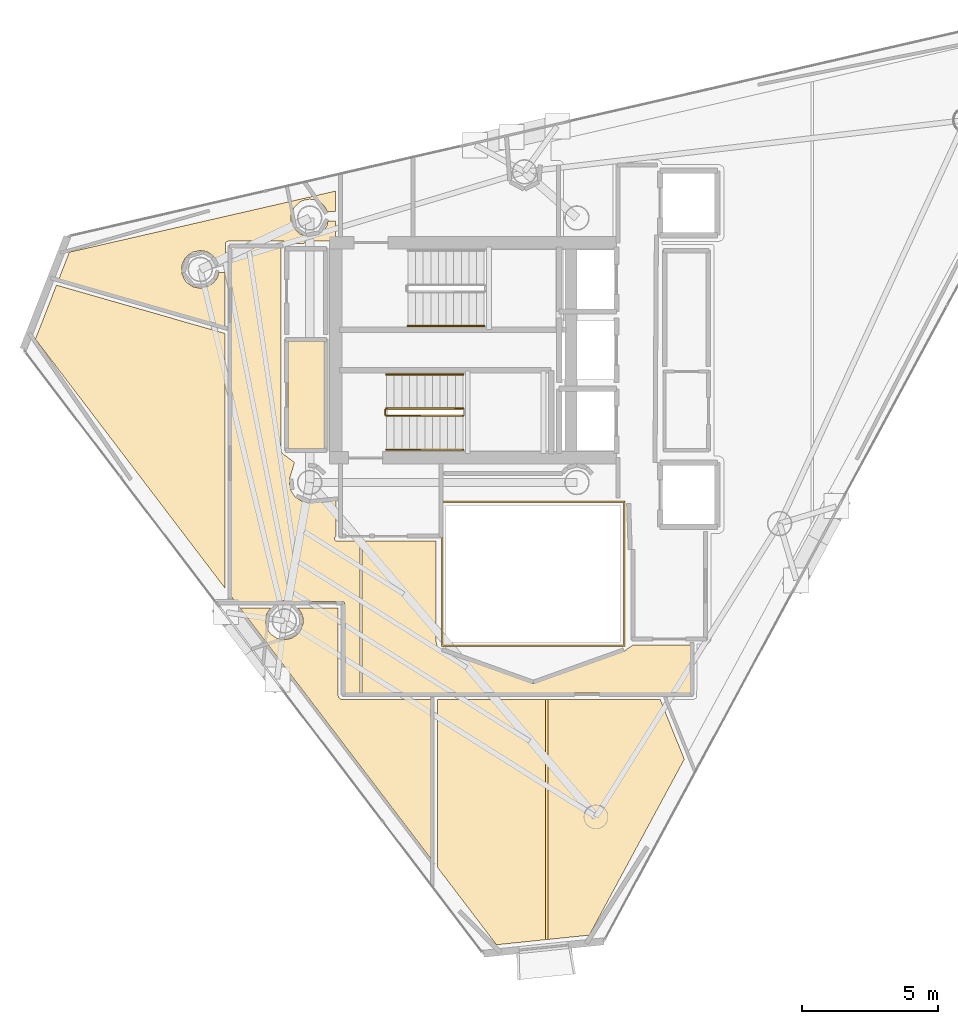
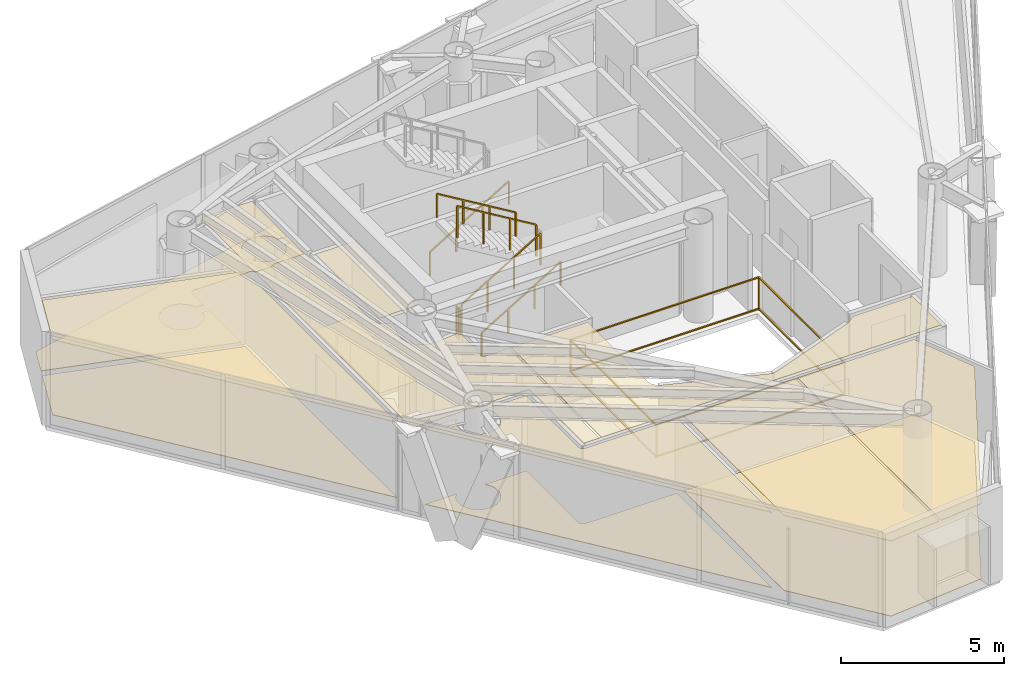
# One storey, part 22 of 24: 12 coverings, 7 railings.
"""IFC4 building model written with IfcOpenShell, lengths in metres."""

from ifc_helpers import new_model, si_unit, direction, frame, origin, origin_2d, place, context, subcontext, project, spatial, polyline, rectangle, outline, extrude, material, layer, layer_set, type_object, element, save


model = new_model("IFC4")

# Units and contexts
model_context = context("Model", 3, precision=1e-05, world=origin(), true_north=direction((0.0, 1.0)))
body_context = subcontext(model_context, "Body", "Model", "MODEL_VIEW")
ifc_project = project(units=[si_unit("LENGTHUNIT", "METRE"), si_unit("AREAUNIT", "SQUARE_METRE"), si_unit("VOLUMEUNIT", "CUBIC_METRE"), si_unit("PLANEANGLEUNIT", "RADIAN"), si_unit("MASSUNIT", "GRAM", prefix="KILO")], contexts=[model_context])

# Site, building, storey
site_placement = place(None, origin())
site = spatial("IfcSite", under=ifc_project, at=site_placement, CompositionType="ELEMENT")
building_placement = place(site_placement, origin())
building = spatial("IfcBuilding", under=site, at=building_placement, Name="Qianvela Tower", CompositionType="ELEMENT")
storey_placement = place(building_placement, frame((0.0, 0.0, 306.5)))
storey = spatial("IfcBuildingStorey", under=building, at=storey_placement, Name="L79", CompositionType="ELEMENT", Elevation=306.5)

# Coverings
ifc_material_1 = material(Name="Perforated Mineral Acoustic Ceiling Tile")
ifc_layer_1 = layer(ifc_material_1, 0.02490234375)
ifc_layer_set_1 = layer_set([ifc_layer_1], Name="Perforated Mineral Acoustic Ceiling Tile")
covering_type_1 = type_object("IfcCoveringType", Name="COV-CEIL-ACOUSTIC-25", PredefinedType="CEILING", material=ifc_layer_set_1)
covering_1_placement = place(storey_placement, frame((0.0, 0.0, 2.81494140625)))
element("IfcCovering", 1, at=covering_1_placement, inside=storey, type_object=covering_type_1, Name="L79 Acoustic Ceiling L79 Core Tea Pantry West", PredefinedType="CEILING", context=body_context, shape_type="SweptSolid", body=[
    extrude(outline(polyline([(27.800048828125, 25.080078125), (27.800048828125, 29.0400390625), (29.139892578125, 29.0400390625), (29.139892578125, 25.080078125), (27.800048828125, 25.080078125)])), origin(), (0.0, 0.0, 1.0), 0.025146484375),
])
covering_2_placement = place(storey_placement, frame((0.0, 0.0, 2.81494140625)))
element("IfcCovering", 2, at=covering_2_placement, inside=storey, type_object=covering_type_1, Name="L79 Acoustic Ceiling Bay 1 L79 Floor Corridor", PredefinedType="CEILING", context=body_context, shape_type="SweptSolid", body=[
    extrude(outline(polyline([(27.5400390625, 32.469970703125), (27.5400390625, 25.04638671875), (27.540283203125, 25.038818359375), (27.54150390625, 25.03125), (27.543212890625, 25.023681640625), (27.545654296875, 25.0166015625), (27.548828125, 25.009765625), (27.552734375, 25.003173828125), (27.61328125, 24.90869140625), (27.61767578125, 24.90283203125), (27.622314453125, 24.8974609375), (27.62744140625, 24.892333984375), (27.633056640625, 24.8876953125), (28.042236328125, 24.584228515625), (27.8662109375, 24.00390625), (27.864501953125, 23.996337890625), (27.86328125, 23.988525390625), (27.850341796875, 23.85791015625), (27.85009765625, 23.85009765625), (27.850341796875, 23.84228515625), (27.8515625, 23.83447265625), (27.902587890625, 23.577880859375), (27.904296875, 23.5703125), (27.906982421875, 23.56298828125), (27.910400390625, 23.555908203125), (27.91455078125, 23.54931640625), (28.059814453125, 23.331787109375), (28.064453125, 23.325439453125), (28.069580078125, 23.319580078125), (28.075439453125, 23.314453125), (28.081787109375, 23.309814453125), (28.29931640625, 23.16455078125), (28.305908203125, 23.160400390625), (28.31298828125, 23.156982421875), (28.3203125, 23.154296875), (28.327880859375, 23.152587890625), (28.58447265625, 23.1015625), (28.59228515625, 23.100341796875), (28.60009765625, 23.10009765625), (28.60791015625, 23.100341796875), (29.55810546875, 23.194091796875), (29.55810546875, 21.877685546875), (29.52001953125, 21.82958984375), (29.515380859375, 21.822998046875), (29.51171875, 21.81640625), (29.508544921875, 21.809326171875), (29.506103515625, 21.802001953125), (29.504150390625, 21.794189453125), (29.503173828125, 21.78662109375), (29.5029296875, 21.77880859375), (29.50341796875, 21.77099609375), (29.504638671875, 21.763427734375), (29.506591796875, 21.755859375), (29.50927734375, 21.74853515625), (29.5126953125, 21.74169921875), (29.516845703125, 21.735107421875), (29.521484375, 21.728759765625), (29.52685546875, 21.722900390625), (29.53271484375, 21.7177734375), (29.538818359375, 21.713134765625), (29.54541015625, 21.709228515625), (29.552490234375, 21.7060546875), (29.559814453125, 21.703369140625), (29.5673828125, 21.701416015625), (29.5751953125, 21.700439453125), (29.5830078125, 21.699951171875), (30.444091796875, 21.699951171875), (30.444091796875, 16.1298828125), (29.8798828125, 16.1298828125), (29.8798828125, 19.39990234375), (29.879638671875, 19.40771484375), (29.87841796875, 19.41552734375), (29.876708984375, 19.423095703125), (29.873779296875, 19.4306640625), (29.87060546875, 19.437744140625), (29.866455078125, 19.4443359375), (29.86181640625, 19.45068359375), (29.856689453125, 19.45654296875), (29.850830078125, 19.4619140625), (29.844482421875, 19.466552734375), (29.837646484375, 19.470703125), (29.83056640625, 19.473876953125), (29.8232421875, 19.4765625), (29.815673828125, 19.478515625), (29.807861328125, 19.4794921875), (29.800048828125, 19.47998046875), (27.910888671875, 19.47998046875), (27.684814453125, 19.522705078125), (27.677490234375, 19.523681640625), (27.669921875, 19.52392578125), (27.66259765625, 19.523681640625), (27.6552734375, 19.522705078125), (27.42919921875, 19.47998046875), (25.869873046875, 19.47998046875), (25.72998046875, 19.663818359375), (25.72998046875, 32.469970703125), (27.5400390625, 32.469970703125)])), origin(), (0.0, 0.0, 1.0), 0.025146484375),
])
covering_3_placement = place(storey_placement, frame((0.0, 0.0, 2.81494140625)))
element("IfcCovering", 3, at=covering_3_placement, inside=storey, type_object=covering_type_1, Name="L79 Acoustic Ceiling Bay 2 L79 Floor Corridor", PredefinedType="CEILING", context=body_context, shape_type="SweptSolid", body=[
    extrude(outline(polyline([(33.239990234375, 21.699951171875), (33.239990234375, 18.0), (33.240478515625, 17.990234375), (33.242431640625, 17.980712890625), (33.275390625, 17.8486328125), (33.277587890625, 17.841796875), (33.2802734375, 17.8349609375), (33.283447265625, 17.82861328125), (33.287353515625, 17.822509765625), (33.29150390625, 17.81689453125), (33.29638671875, 17.811279296875), (33.411376953125, 17.696533203125), (33.41796875, 17.690673828125), (33.42529296875, 17.685546875), (33.432861328125, 17.68115234375), (33.44091796875, 17.677734375), (36.77294921875, 16.482666015625), (36.780517578125, 16.48046875), (36.7880859375, 16.47900390625), (36.7958984375, 16.47802734375), (36.803955078125, 16.47802734375), (36.811767578125, 16.47900390625), (36.8193359375, 16.48046875), (36.826904296875, 16.482666015625), (40.134033203125, 17.666015625), (40.140869140625, 17.668701171875), (40.1474609375, 17.672119140625), (40.153564453125, 17.676025390625), (40.458740234375, 17.89306640625), (42.570068359375, 17.899658203125), (42.570068359375, 16.1298828125), (30.524169921875, 16.1298828125), (30.524169921875, 21.699951171875), (33.239990234375, 21.699951171875)])), origin(), (0.0, 0.0, 1.0), 0.025146484375),
])
covering_4_placement = place(storey_placement, frame((0.0, 0.0, 2.81494140625)))
element("IfcCovering", 4, at=covering_4_placement, inside=storey, type_object=covering_type_1, Name="L79 Acoustic Ceiling Graduate Seminar Classroom L79-01", PredefinedType="CEILING", context=body_context, shape_type="SweptSolid", body=[
    extrude(outline(polyline([(27.16552734375, 19.239990234375), (27.039794921875, 19.052001953125), (27.035888671875, 19.045166015625), (27.032470703125, 19.0380859375), (27.02978515625, 19.03076171875), (26.9951171875, 18.916259765625), (26.993408203125, 18.90869140625), (26.9921875, 18.90087890625), (26.99169921875, 18.89306640625), (26.99169921875, 18.655029296875), (26.9921875, 18.647216796875), (26.993408203125, 18.639404296875), (26.9951171875, 18.6318359375), (26.997802734375, 18.62451171875), (27.0888671875, 18.404541015625), (27.09228515625, 18.3974609375), (27.09619140625, 18.390625), (27.10107421875, 18.384521484375), (27.1767578125, 18.2919921875), (27.18212890625, 18.2861328125), (27.18798828125, 18.28076171875), (27.194091796875, 18.276123046875), (27.39208984375, 18.143798828125), (27.39892578125, 18.139892578125), (27.406005859375, 18.136474609375), (27.413330078125, 18.1337890625), (27.4208984375, 18.132080078125), (27.654296875, 18.08544921875), (27.662109375, 18.08447265625), (27.669921875, 18.083984375), (27.677734375, 18.08447265625), (27.685546875, 18.08544921875), (27.9189453125, 18.132080078125), (27.9267578125, 18.1337890625), (27.93408203125, 18.136474609375), (27.941162109375, 18.139892578125), (27.947998046875, 18.143798828125), (28.145751953125, 18.276123046875), (28.152099609375, 18.28076171875), (28.157958984375, 18.2861328125), (28.1630859375, 18.2919921875), (28.239013671875, 18.384521484375), (28.24365234375, 18.390625), (28.247802734375, 18.3974609375), (28.251220703125, 18.404541015625), (28.34228515625, 18.62451171875), (28.3447265625, 18.6318359375), (28.3466796875, 18.639404296875), (28.347900390625, 18.647216796875), (28.348388671875, 18.655029296875), (28.348388671875, 18.89306640625), (28.347900390625, 18.90087890625), (28.3466796875, 18.90869140625), (28.3447265625, 18.916259765625), (28.31005859375, 19.03076171875), (28.3076171875, 19.0380859375), (28.30419921875, 19.045166015625), (28.300048828125, 19.052001953125), (28.17431640625, 19.239990234375), (29.639892578125, 19.239990234375), (29.639892578125, 16.050048828125), (29.640380859375, 16.042236328125), (29.6416015625, 16.034423828125), (29.643310546875, 16.02685546875), (29.64599609375, 16.019287109375), (29.66943359375, 15.962890625), (29.6728515625, 15.955810546875), (29.677001953125, 15.948974609375), (29.681640625, 15.942626953125), (29.68701171875, 15.93701171875), (29.692626953125, 15.931640625), (29.698974609375, 15.927001953125), (29.705810546875, 15.9228515625), (29.712890625, 15.91943359375), (29.769287109375, 15.89599609375), (29.77685546875, 15.893310546875), (29.784423828125, 15.8916015625), (29.792236328125, 15.890380859375), (29.800048828125, 15.889892578125), (33.044189453125, 15.889892578125), (33.044189453125, 10.055419921875), (26.052490234375, 19.239990234375), (27.16552734375, 19.239990234375)])), origin(), (0.0, 0.0, 1.0), 0.025146484375),
])
covering_5_placement = place(storey_placement, frame((0.0, 0.0, 2.81494140625)))
element("IfcCovering", 5, at=covering_5_placement, inside=storey, type_object=covering_type_1, Name="L79 Acoustic Ceiling Media Practice Cinema L79-04", PredefinedType="CEILING", context=body_context, shape_type="SweptSolid", body=[
    extrude(outline(polyline([(25.489990234375, 29.31689453125), (25.489990234375, 19.97900390625), (18.541259765625, 29.107177734375), (19.314697265625, 31.087646484375), (25.489990234375, 29.31689453125)])), origin(), (0.0, 0.0, 1.0), 0.025146484375),
])
covering_6_placement = place(storey_placement, frame((0.0, 0.0, 2.81494140625)))
element("IfcCovering", 6, at=covering_6_placement, inside=storey, type_object=covering_type_1, Name="L79 Acoustic Ceiling Bay 1 Shared Communal Kitchen L79-05", PredefinedType="CEILING", context=body_context, shape_type="SweptSolid", body=[
    extrude(outline(polyline([(35.447509765625, 6.898193359375), (33.2880859375, 9.73486328125), (33.2880859375, 15.889892578125), (37.25, 15.889892578125), (37.25, 7.084228515625), (35.447509765625, 6.898193359375)])), origin(), (0.0, 0.0, 1.0), 0.025146484375),
])
covering_7_placement = place(storey_placement, frame((0.0, 0.0, 2.81494140625)))
element("IfcCovering", 7, at=covering_7_placement, inside=storey, type_object=covering_type_1, Name="L79 Acoustic Ceiling Bay 2 Shared Communal Kitchen L79-05", PredefinedType="CEILING", context=body_context, shape_type="SweptSolid", body=[
    extrude(outline(polyline([(38.853271484375, 7.25), (37.330078125, 7.092529296875), (37.330078125, 15.889892578125), (41.453125, 15.889892578125), (42.337158203125, 13.701904296875), (38.853271484375, 7.25)])), origin(), (0.0, 0.0, 1.0), 0.025146484375),
])
ifc_material_2 = material(Name="Engineered Acoustic Oak Timber Flooring", Category="wood")
ifc_layer_2 = layer(ifc_material_2, 0.02001953125)
ifc_layer_set_2 = layer_set([ifc_layer_2], Name="Engineered Acoustic Oak Timber Flooring")
covering_type_2 = type_object("IfcCoveringType", Name="COV-FLOOR-OAK-20", PredefinedType="FLOORING", material=ifc_layer_set_2)
covering_8_placement = place(storey_placement, origin())
element("IfcCovering", 8, at=covering_8_placement, inside=storey, type_object=covering_type_2, Name="L79 Finish Flooring L79 Core Tea Pantry West", PredefinedType="FLOORING", context=body_context, shape_type="SweptSolid", body=[
    extrude(outline(polyline([(27.800048828125, 25.080078125), (27.800048828125, 29.0400390625), (29.139892578125, 29.0400390625), (29.139892578125, 25.080078125), (27.800048828125, 25.080078125)])), origin(), (0.0, 0.0, 1.0), 0.02001953125),
])
covering_9_placement = place(storey_placement, origin())
element("IfcCovering", 9, at=covering_9_placement, inside=storey, type_object=covering_type_2, Name="L79 Finish Flooring Graduate Seminar Classroom L79-01", PredefinedType="FLOORING", context=body_context, shape_type="SweptSolid", body=[
    extrude(outline(polyline([(27.16552734375, 19.239990234375), (27.039794921875, 19.052001953125), (27.035888671875, 19.045166015625), (27.032470703125, 19.0380859375), (27.02978515625, 19.03076171875), (26.9951171875, 18.916259765625), (26.993408203125, 18.90869140625), (26.9921875, 18.90087890625), (26.99169921875, 18.89306640625), (26.99169921875, 18.655029296875), (26.9921875, 18.647216796875), (26.993408203125, 18.639404296875), (26.9951171875, 18.6318359375), (26.997802734375, 18.62451171875), (27.0888671875, 18.404541015625), (27.09228515625, 18.3974609375), (27.09619140625, 18.390625), (27.10107421875, 18.384521484375), (27.1767578125, 18.2919921875), (27.18212890625, 18.2861328125), (27.18798828125, 18.28076171875), (27.194091796875, 18.276123046875), (27.39208984375, 18.143798828125), (27.39892578125, 18.139892578125), (27.406005859375, 18.136474609375), (27.413330078125, 18.1337890625), (27.4208984375, 18.132080078125), (27.654296875, 18.08544921875), (27.662109375, 18.08447265625), (27.669921875, 18.083984375), (27.677734375, 18.08447265625), (27.685546875, 18.08544921875), (27.9189453125, 18.132080078125), (27.9267578125, 18.1337890625), (27.93408203125, 18.136474609375), (27.941162109375, 18.139892578125), (27.947998046875, 18.143798828125), (28.145751953125, 18.276123046875), (28.152099609375, 18.28076171875), (28.157958984375, 18.2861328125), (28.1630859375, 18.2919921875), (28.239013671875, 18.384521484375), (28.24365234375, 18.390625), (28.247802734375, 18.3974609375), (28.251220703125, 18.404541015625), (28.34228515625, 18.62451171875), (28.3447265625, 18.6318359375), (28.3466796875, 18.639404296875), (28.347900390625, 18.647216796875), (28.348388671875, 18.655029296875), (28.348388671875, 18.89306640625), (28.347900390625, 18.90087890625), (28.3466796875, 18.90869140625), (28.3447265625, 18.916259765625), (28.31005859375, 19.03076171875), (28.3076171875, 19.0380859375), (28.30419921875, 19.045166015625), (28.300048828125, 19.052001953125), (28.17431640625, 19.239990234375), (29.639892578125, 19.239990234375), (29.639892578125, 16.050048828125), (29.640380859375, 16.042236328125), (29.6416015625, 16.034423828125), (29.643310546875, 16.02685546875), (29.64599609375, 16.019287109375), (29.66943359375, 15.962890625), (29.6728515625, 15.955810546875), (29.677001953125, 15.948974609375), (29.681640625, 15.942626953125), (29.68701171875, 15.93701171875), (29.692626953125, 15.931640625), (29.698974609375, 15.927001953125), (29.705810546875, 15.9228515625), (29.712890625, 15.91943359375), (29.769287109375, 15.89599609375), (29.77685546875, 15.893310546875), (29.784423828125, 15.8916015625), (29.792236328125, 15.890380859375), (29.800048828125, 15.889892578125), (33.044189453125, 15.889892578125), (33.044189453125, 10.055419921875), (26.052490234375, 19.239990234375), (27.16552734375, 19.239990234375)])), origin(), (0.0, 0.0, 1.0), 0.02001953125),
])
covering_10_placement = place(storey_placement, origin())
element("IfcCovering", 10, at=covering_10_placement, inside=storey, type_object=covering_type_2, Name="L79 Finish Flooring Student Reading Library L79-03", PredefinedType="FLOORING", context=body_context, shape_type="SweptSolid", body=[
    extrude(outline(polyline([(29.5400390625, 32.699951171875), (28.47998046875, 32.699951171875), (28.47216796875, 32.69970703125), (28.464111328125, 32.698486328125), (28.45654296875, 32.696533203125), (28.44921875, 32.69384765625), (28.44189453125, 32.690185546875), (28.43505859375, 32.686279296875), (28.4287109375, 32.681396484375), (28.4228515625, 32.676025390625), (28.417724609375, 32.670166015625), (28.4130859375, 32.663818359375), (28.408935546875, 32.656982421875), (28.40576171875, 32.649658203125), (28.403076171875, 32.64208984375), (28.4013671875, 32.634521484375), (28.400390625, 32.62646484375), (28.39892578125, 32.609619140625), (27.7626953125, 32.607666015625), (27.759521484375, 32.6201171875), (27.757080078125, 32.62744140625), (27.754150390625, 32.634765625), (27.75048828125, 32.6416015625), (27.74609375, 32.648193359375), (27.7412109375, 32.654296875), (27.735595703125, 32.659912109375), (27.7294921875, 32.6650390625), (27.722900390625, 32.66943359375), (27.716064453125, 32.673095703125), (27.654296875, 32.702392578125), (27.647705078125, 32.705078125), (27.64111328125, 32.707275390625), (27.634033203125, 32.708740234375), (27.627197265625, 32.709716796875), (27.6201171875, 32.7099609375), (25.64990234375, 32.7099609375), (25.642822265625, 32.709716796875), (25.635986328125, 32.708740234375), (25.62890625, 32.707275390625), (25.622314453125, 32.705078125), (25.61572265625, 32.702392578125), (25.553955078125, 32.673095703125), (25.546875, 32.669189453125), (25.5400390625, 32.66455078125), (25.53369140625, 32.659423828125), (25.528076171875, 32.653564453125), (25.52294921875, 32.647216796875), (25.5185546875, 32.64013671875), (25.514892578125, 32.633056640625), (25.511962890625, 32.625244140625), (25.510009765625, 32.617431640625), (25.508544921875, 32.609375), (25.50830078125, 32.601318359375), (25.504150390625, 31.894775390625), (25.22802734375, 31.89404296875), (25.16748046875, 32.03369140625), (25.164306640625, 32.040283203125), (25.160400390625, 32.046630859375), (25.156005859375, 32.052490234375), (25.080078125, 32.14501953125), (25.074951171875, 32.15087890625), (25.069091796875, 32.15625), (25.062744140625, 32.160888671875), (24.864990234375, 32.293212890625), (24.858154296875, 32.297119140625), (24.85107421875, 32.300537109375), (24.84375, 32.302978515625), (24.729248046875, 32.337890625), (24.7216796875, 32.339599609375), (24.7138671875, 32.3408203125), (24.5947265625, 32.3525390625), (24.5869140625, 32.35302734375), (24.5791015625, 32.3525390625), (24.5712890625, 32.3515625), (24.337890625, 32.304931640625), (24.330322265625, 32.302978515625), (24.322998046875, 32.300537109375), (24.31591796875, 32.297119140625), (24.30908203125, 32.293212890625), (24.111083984375, 32.160888671875), (24.10498046875, 32.15625), (24.09912109375, 32.15087890625), (24.09375, 32.14501953125), (24.01806640625, 32.052490234375), (24.01318359375, 32.04638671875), (24.00927734375, 32.03955078125), (24.005859375, 32.032470703125), (23.914794921875, 31.8125), (23.912109375, 31.80517578125), (23.910400390625, 31.797607421875), (23.9091796875, 31.789794921875), (23.90869140625, 31.781982421875), (23.90869140625, 31.5439453125), (23.9091796875, 31.5361328125), (23.910400390625, 31.5283203125), (23.912109375, 31.520751953125), (23.914794921875, 31.513427734375), (24.005859375, 31.29345703125), (24.00927734375, 31.286376953125), (24.01318359375, 31.27978515625), (24.01806640625, 31.2734375), (24.09375, 31.180908203125), (24.09912109375, 31.175048828125), (24.10498046875, 31.169921875), (24.111083984375, 31.1650390625), (24.30908203125, 31.032958984375), (24.31591796875, 31.02880859375), (24.322998046875, 31.025390625), (24.330322265625, 31.02294921875), (24.337890625, 31.02099609375), (24.5712890625, 30.974609375), (24.5791015625, 30.973388671875), (24.5869140625, 30.972900390625), (24.5947265625, 30.973388671875), (24.6025390625, 30.974609375), (24.8359375, 31.02099609375), (24.84375, 31.02294921875), (24.85107421875, 31.025390625), (24.858154296875, 31.02880859375), (24.864990234375, 31.032958984375), (25.062744140625, 31.1650390625), (25.069091796875, 31.169921875), (25.074951171875, 31.175048828125), (25.080078125, 31.180908203125), (25.156005859375, 31.2734375), (25.16064453125, 31.27978515625), (25.164794921875, 31.286376953125), (25.22119140625, 31.391845703125), (25.224365234375, 31.398681640625), (25.226806640625, 31.405517578125), (25.228759765625, 31.412841796875), (25.2587890625, 31.55419921875), (25.502197265625, 31.5546875), (25.490478515625, 29.570556640625), (19.40380859375, 31.31591796875), (19.786865234375, 32.29638671875), (29.5400390625, 34.534912109375), (29.5400390625, 33.781982421875), (29.2412109375, 33.781005859375), (29.1806640625, 33.920654296875), (29.17724609375, 33.927490234375), (29.173583984375, 33.93359375), (29.1689453125, 33.939697265625), (29.09326171875, 34.031982421875), (29.087890625, 34.037841796875), (29.08203125, 34.043212890625), (28.989501953125, 34.118896484375), (28.9833984375, 34.123779296875), (28.9765625, 34.127685546875), (28.969482421875, 34.131103515625), (28.74951171875, 34.22216796875), (28.7421875, 34.224853515625), (28.734619140625, 34.226806640625), (28.726806640625, 34.227783203125), (28.60791015625, 34.239501953125), (28.60009765625, 34.239990234375), (28.59228515625, 34.239501953125), (28.58447265625, 34.238525390625), (28.35107421875, 34.19189453125), (28.34326171875, 34.190185546875), (28.3359375, 34.1875), (28.328857421875, 34.18408203125), (28.223388671875, 34.127685546875), (28.216796875, 34.123779296875), (28.21044921875, 34.118896484375), (28.20458984375, 34.11376953125), (28.0361328125, 33.945556640625), (28.031005859375, 33.939697265625), (28.0263671875, 33.933349609375), (28.022216796875, 33.926513671875), (28.018798828125, 33.91943359375), (27.927734375, 33.69970703125), (27.92529296875, 33.692138671875), (27.92333984375, 33.6845703125), (27.922119140625, 33.6767578125), (27.921630859375, 33.6689453125), (27.921630859375, 33.430908203125), (27.922119140625, 33.423095703125), (27.92333984375, 33.415283203125), (27.92529296875, 33.40771484375), (27.9599609375, 33.293212890625), (27.96240234375, 33.285888671875), (27.9658203125, 33.27880859375), (28.022216796875, 33.17333984375), (28.0263671875, 33.166748046875), (28.031005859375, 33.160400390625), (28.0361328125, 33.154541015625), (28.20458984375, 32.986083984375), (28.21044921875, 32.98095703125), (28.216796875, 32.976318359375), (28.223388671875, 32.97216796875), (28.23046875, 32.968994140625), (28.450439453125, 32.877685546875), (28.457763671875, 32.875244140625), (28.46533203125, 32.873291015625), (28.47314453125, 32.8720703125), (28.48095703125, 32.87158203125), (28.718994140625, 32.87158203125), (28.726806640625, 32.8720703125), (28.734619140625, 32.873291015625), (28.7421875, 32.875244140625), (28.74951171875, 32.877685546875), (28.969482421875, 32.968994140625), (28.9765625, 32.97216796875), (28.9833984375, 32.976318359375), (28.989501953125, 32.98095703125), (28.99560546875, 32.986083984375), (29.163818359375, 33.154541015625), (29.1689453125, 33.160400390625), (29.173583984375, 33.166748046875), (29.177734375, 33.17333984375), (29.234130859375, 33.27880859375), (29.2373046875, 33.28564453125), (29.239990234375, 33.29248046875), (29.24169921875, 33.2998046875), (29.27197265625, 33.441162109375), (29.5400390625, 33.44189453125), (29.5400390625, 32.699951171875)])), origin(), (0.0, 0.0, 1.0), 0.02001953125),
])
covering_11_placement = place(storey_placement, origin())
element("IfcCovering", 11, at=covering_11_placement, inside=storey, type_object=covering_type_2, Name="L79 Finish Flooring Media Practice Cinema L79-04", PredefinedType="FLOORING", context=body_context, shape_type="SweptSolid", body=[
    extrude(outline(polyline([(25.489990234375, 29.31689453125), (25.489990234375, 19.97900390625), (18.541259765625, 29.107177734375), (19.314697265625, 31.087646484375), (25.489990234375, 29.31689453125)])), origin(), (0.0, 0.0, 1.0), 0.02001953125),
])
covering_12_placement = place(storey_placement, origin())
element("IfcCovering", 12, at=covering_12_placement, inside=storey, type_object=covering_type_2, Name="L79 Finish Flooring Shared Communal Kitchen L79-05", PredefinedType="FLOORING", context=body_context, shape_type="SweptSolid", body=[
    extrude(outline(polyline([(42.337158203125, 13.701904296875), (38.853271484375, 7.25), (35.447509765625, 6.898193359375), (33.2880859375, 9.73486328125), (33.2880859375, 15.889892578125), (41.453125, 15.889892578125), (42.337158203125, 13.701904296875)])), origin(), (0.0, 0.0, 1.0), 0.02001953125),
])

# Railings
ifc_material_3 = material(Name="Laminated Safety Glass and Stainless Steel 316", Category="steel")
railing_type_1 = type_object("IfcRailingType", Name="RL-ATRIUM-GUARD-1250", PredefinedType="GUARDRAIL", material=ifc_material_3)
railing_1_placement = place(storey_placement, frame((33.4599609375, 17.860107421875, 0.0)))
element("IfcRailing", 13, at=railing_1_placement, inside=storey, type_object=railing_type_1, Name="L79 Atrium Edge Guardrail 1", PredefinedType="GUARDRAIL", context=body_context, shape_type="SweptSolid", body=[
    extrude(rectangle(XDim=0.050048828125, YDim=0.0400390625, at=origin_2d()), frame((0.0, 0.0, 1.22998046875), z_axis=(0.0, 1.0, 0.0), x_axis=(-1.0, 0.0, 0.0)), (0.0, 0.0, 1.0), 5.27978515625),
    extrude(rectangle(XDim=0.050048828125, YDim=0.0400390625, at=origin_2d()), frame((0.0, 0.0, 0.050048828125), z_axis=(0.0, 1.0, 0.0), x_axis=(-1.0, 0.0, 0.0)), (0.0, 0.0, 1.0), 5.27978515625),
    extrude(rectangle(XDim=0.050048828125, YDim=0.0400390625, at=origin_2d()), frame((0.0, 5.27978515625, 1.22998046875), z_axis=(1.0, 0.0, 0.0), x_axis=(0.0, 1.0, 0.0)), (0.0, 0.0, 1.0), 6.679931640625),
    extrude(rectangle(XDim=0.050048828125, YDim=0.0400390625, at=origin_2d()), frame((0.0, 5.27978515625, 0.050048828125), z_axis=(1.0, 0.0, 0.0), x_axis=(0.0, 1.0, 0.0)), (0.0, 0.0, 1.0), 6.679931640625),
    extrude(rectangle(XDim=0.050048828125, YDim=0.0400390625, at=origin_2d()), frame((6.679931640625, 5.27978515625, 1.22998046875), z_axis=(0.0, -1.0, 0.0), x_axis=(1.0, 0.0, 0.0)), (0.0, 0.0, 1.0), 5.27978515625),
    extrude(rectangle(XDim=0.050048828125, YDim=0.0400390625, at=origin_2d()), frame((6.679931640625, 5.27978515625, 0.050048828125), z_axis=(0.0, -1.0, 0.0), x_axis=(1.0, 0.0, 0.0)), (0.0, 0.0, 1.0), 5.27978515625),
    extrude(rectangle(XDim=0.050048828125, YDim=0.0400390625, at=origin_2d()), frame((6.679931640625, 0.0, 1.22998046875), z_axis=(-1.0, 0.0, 0.0), x_axis=(0.0, -1.0, 0.0)), (0.0, 0.0, 1.0), 6.679931640625),
    extrude(rectangle(XDim=0.050048828125, YDim=0.0400390625, at=origin_2d()), frame((6.679931640625, 0.0, 0.050048828125), z_axis=(-1.0, 0.0, 0.0), x_axis=(0.0, -1.0, 0.0)), (0.0, 0.0, 1.0), 6.679931640625),
    extrude(rectangle(XDim=0.050048828125, YDim=0.050048828125, at=origin_2d()), origin(), (0.0, 0.0, 1.0), 1.2099609375),
    extrude(rectangle(XDim=0.050048828125, YDim=0.050048828125, at=origin_2d()), frame((0.0, 5.27978515625, 0.0)), (0.0, 0.0, 1.0), 1.2099609375),
    extrude(rectangle(XDim=0.050048828125, YDim=0.050048828125, at=origin_2d()), frame((6.679931640625, 5.27978515625, 0.0)), (0.0, 0.0, 1.0), 1.2099609375),
    extrude(rectangle(XDim=0.050048828125, YDim=0.050048828125, at=origin_2d()), frame((6.679931640625, 0.0, 0.0)), (0.0, 0.0, 1.0), 1.2099609375),
])
ifc_material_4 = material(Name="Painted Tubular Steel Q355B", Category="steel")
railing_type_2 = type_object("IfcRailingType", Name="RL-STAIR-GUARD-1200", PredefinedType="GUARDRAIL", material=ifc_material_4)
railing_2_placement = place(storey_placement, frame((31.419921875, 26.300048828125, 0.168212890625)))
element("IfcRailing", 14, at=railing_2_placement, inside=storey, type_object=railing_type_2, Name="L79 ST-2 stair guard 1", PredefinedType="GUARDRAIL", context=body_context, shape_type="SweptSolid", body=[
    extrude(rectangle(XDim=0.050048828125, YDim=0.0400390625, at=origin_2d()), frame((0.0, 0.0, 1.179931640625), z_axis=(0.857242210791, 0.0, 0.514913383045), x_axis=(0.0, 1.0, 0.0)), (0.0, 0.0, 1.0), 3.266357421875),
    extrude(rectangle(XDim=0.050048828125, YDim=0.050048828125, at=origin_2d()), origin(), (0.0, 0.0, 1.0), 1.159912109375),
    extrude(rectangle(XDim=0.050048828125, YDim=0.050048828125, at=origin_2d()), frame((0.933349609375, 0.0, 0.560546875)), (0.0, 0.0, 1.0), 1.159912109375),
    extrude(rectangle(XDim=0.050048828125, YDim=0.050048828125, at=origin_2d()), frame((1.86669921875, 0.0, 1.121337890625)), (0.0, 0.0, 1.0), 1.159912109375),
    extrude(rectangle(XDim=0.050048828125, YDim=0.050048828125, at=origin_2d()), frame((2.800048828125, 0.0, 1.681884765625)), (0.0, 0.0, 1.0), 1.159912109375),
])
railing_3_placement = place(storey_placement, frame((34.219970703125, 26.56005859375, 2.01806640625)))
element("IfcRailing", 15, at=railing_3_placement, inside=storey, type_object=railing_type_2, Name="L79 ST-2 stair guard 3", PredefinedType="GUARDRAIL", context=body_context, shape_type="SweptSolid", body=[
    extrude(rectangle(XDim=0.050048828125, YDim=0.0400390625, at=origin_2d()), frame((0.0, 0.0, 1.179931640625), z_axis=(-0.857242210791, 0.0, 0.514913383045), x_axis=(0.0, -1.0, 0.0)), (0.0, 0.0, 1.0), 3.266357421875),
    extrude(rectangle(XDim=0.050048828125, YDim=0.050048828125, at=origin_2d()), origin(), (0.0, 0.0, 1.0), 1.159912109375),
    extrude(rectangle(XDim=0.050048828125, YDim=0.050048828125, at=origin_2d()), frame((-0.933349609375, 0.0, 0.560546875)), (0.0, 0.0, 1.0), 1.159912109375),
    extrude(rectangle(XDim=0.050048828125, YDim=0.050048828125, at=origin_2d()), frame((-1.86669921875, 0.0, 1.121337890625)), (0.0, 0.0, 1.0), 1.159912109375),
    extrude(rectangle(XDim=0.050048828125, YDim=0.050048828125, at=origin_2d()), frame((-2.800048828125, 0.0, 1.681884765625)), (0.0, 0.0, 1.0), 1.159912109375),
])
railing_4_placement = place(storey_placement, frame((31.3701171875, 26.35009765625, 0.0)))
element("IfcRailing", 16, at=railing_4_placement, inside=storey, type_object=railing_type_2, Name="L79 ST-2 stair guard 4", PredefinedType="GUARDRAIL", context=body_context, shape_type="SweptSolid", body=[
    extrude(rectangle(XDim=0.050048828125, YDim=0.0400390625, at=origin_2d()), frame((0.0, 0.0, 1.179931640625), z_axis=(0.0, 1.0, 0.0), x_axis=(-1.0, 0.0, 0.0)), (0.0, 0.0, 1.0), 0.159912109375),
    extrude(rectangle(XDim=0.050048828125, YDim=0.050048828125, at=origin_2d()), origin(), (0.0, 0.0, 1.0), 1.159912109375),
    extrude(rectangle(XDim=0.050048828125, YDim=0.050048828125, at=origin_2d()), frame((0.0, 0.159912109375, 0.0)), (0.0, 0.0, 1.0), 1.159912109375),
])
ifc_material_5 = material(Name="Brushed Stainless Steel 304", Category="steel")
railing_type_3 = type_object("IfcRailingType", Name="RL-STAIR-HANDRAIL-900", PredefinedType="HANDRAIL", material=ifc_material_5)
for number, where, name in (
    (17, (32.199951171875, 29.590087890625, 0.168212890625), "L79 ST-1 stair handrail 1"),
    (18, (31.419921875, 25.050048828125, 0.168212890625), "L79 ST-2 stair handrail 1"),
):
    element("IfcRailing", number, at=place(storey_placement, frame(where)), inside=storey, type_object=railing_type_3, Name=name, PredefinedType="HANDRAIL", context=body_context, shape_type="SweptSolid", body=[
        extrude(rectangle(XDim=0.050048828125, YDim=0.0400390625, at=origin_2d()), frame((0.0, 0.0, 0.8798828125), z_axis=(0.857242210791, 0.0, 0.514913383045), x_axis=(0.0, 1.0, 0.0)), (0.0, 0.0, 1.0), 3.266357421875),
        extrude(rectangle(XDim=0.050048828125, YDim=0.050048828125, at=origin_2d()), origin(), (0.0, 0.0, 1.0), 0.85986328125),
        extrude(rectangle(XDim=0.050048828125, YDim=0.050048828125, at=origin_2d()), frame((0.933349609375, 0.0, 0.560546875)), (0.0, 0.0, 1.0), 0.85986328125),
        extrude(rectangle(XDim=0.050048828125, YDim=0.050048828125, at=origin_2d()), frame((1.86669921875, 0.0, 1.121337890625)), (0.0, 0.0, 1.0), 0.85986328125),
        extrude(rectangle(XDim=0.050048828125, YDim=0.050048828125, at=origin_2d()), frame((2.800048828125, 0.0, 1.681884765625)), (0.0, 0.0, 1.0), 0.85986328125),
    ])
railing_5_placement = place(storey_placement, frame((34.219970703125, 27.81005859375, 2.01806640625)))
element("IfcRailing", 19, at=railing_5_placement, inside=storey, type_object=railing_type_3, Name="L79 ST-2 stair handrail 2", PredefinedType="HANDRAIL", context=body_context, shape_type="SweptSolid", body=[
    extrude(rectangle(XDim=0.050048828125, YDim=0.0400390625, at=origin_2d()), frame((0.0, 0.0, 0.8798828125), z_axis=(-0.857242210791, 0.0, 0.514913383045), x_axis=(0.0, -1.0, 0.0)), (0.0, 0.0, 1.0), 3.266357421875),
    extrude(rectangle(XDim=0.050048828125, YDim=0.050048828125, at=origin_2d()), origin(), (0.0, 0.0, 1.0), 0.85986328125),
    extrude(rectangle(XDim=0.050048828125, YDim=0.050048828125, at=origin_2d()), frame((-0.933349609375, 0.0, 0.560546875)), (0.0, 0.0, 1.0), 0.85986328125),
    extrude(rectangle(XDim=0.050048828125, YDim=0.050048828125, at=origin_2d()), frame((-1.86669921875, 0.0, 1.121337890625)), (0.0, 0.0, 1.0), 0.85986328125),
    extrude(rectangle(XDim=0.050048828125, YDim=0.050048828125, at=origin_2d()), frame((-2.800048828125, 0.0, 1.681884765625)), (0.0, 0.0, 1.0), 0.85986328125),
])

save(model, "model.ifc")
